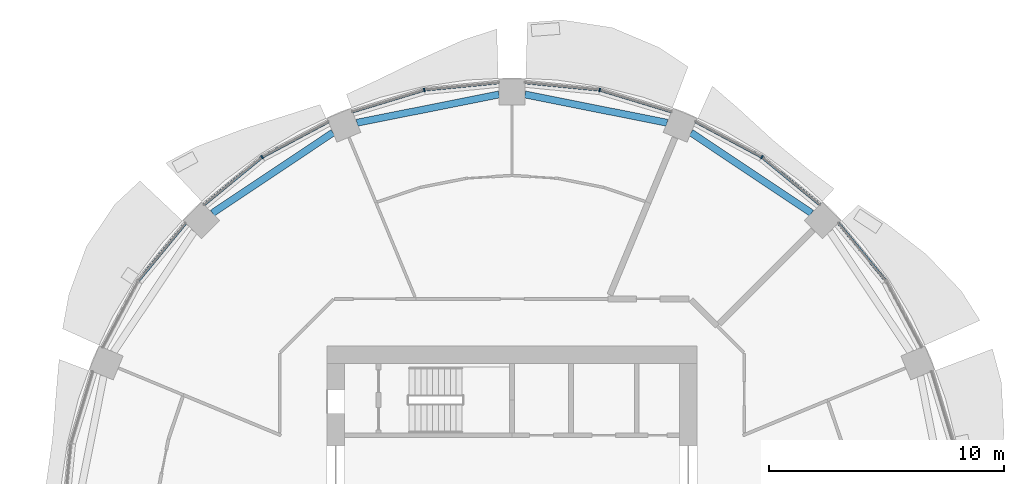
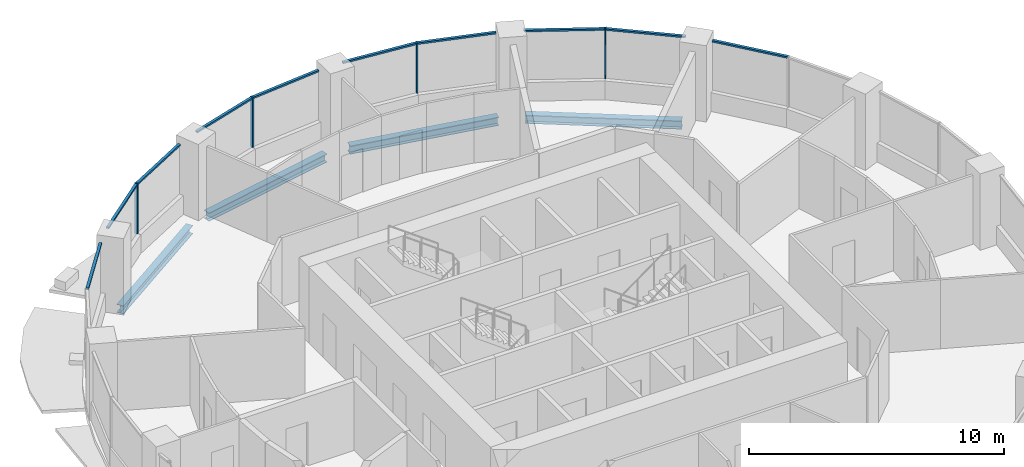
# One storey, part 5 of 14: 14 members, 4 beams, 6 elements without a shape of their own.
"""IFC4 building model written with IfcOpenShell, lengths in metres."""

from ifc_helpers import new_model, si_unit, direction, frame, origin, origin_2d, place, context, subcontext, project, spatial, rectangle, i_section, extrude, material, material_profile, profile_set, type_object, element, aggregate, save


model = new_model("IFC4")

# Units and contexts
model_context = context("Model", 3, precision=1e-05, world=origin(), true_north=direction((0.0, 1.0)))
body_context = subcontext(model_context, "Body", "Model", "MODEL_VIEW")
ifc_project = project(units=[si_unit("LENGTHUNIT", "METRE"), si_unit("AREAUNIT", "SQUARE_METRE"), si_unit("VOLUMEUNIT", "CUBIC_METRE"), si_unit("PLANEANGLEUNIT", "RADIAN"), si_unit("MASSUNIT", "GRAM", prefix="KILO")], contexts=[model_context])

# Site, building, storey
site_placement = place(None, origin())
site = spatial("IfcSite", under=ifc_project, at=site_placement, CompositionType="ELEMENT")
building_placement = place(site_placement, origin())
building = spatial("IfcBuilding", under=site, at=building_placement, Name="Polderwave Tower", CompositionType="ELEMENT")
storey_placement = place(building_placement, frame((0.0, 0.0, 94.64990234375)))
storey = spatial("IfcBuildingStorey", under=building, at=storey_placement, Name="L24", CompositionType="ELEMENT", Elevation=94.64990234375)

# Curtain wall, member
ifc_material_1 = material(Name="Aluminium 6063-T6 and glass", Category="aluminium")
curtain_wall_type = type_object("IfcCurtainWallType", Name="Growing floor ribbon glazing wall", PredefinedType="NOTDEFINED", material=ifc_material_1)
curtain_wall_1_placement = place(storey_placement, origin())
curtain_wall_1 = element("IfcCurtainWall", 1, at=curtain_wall_1_placement, inside=storey, type_object=curtain_wall_type, Name="CW2 L24 02", PredefinedType="NOTDEFINED")
ifc_material_2 = material(Name="Aluminium 6063-T6", Category="aluminium")
ifc_material_profile_1 = material_profile(ifc_material_2, rectangle(XDim=0.14990234375, YDim=0.06005859375, at=origin_2d()), Name="AL 60x150")
ifc_profile_set_1 = profile_set([ifc_material_profile_1], Name="Aluminium 6063-T6")
member_type_1 = type_object("IfcMemberType", Name="Growing floor ribbon glazing mullion 60x150", PredefinedType="MULLION", material=ifc_profile_set_1)
member_1_placement = place(storey_placement, frame((10.623046875, 15.89794921875, 0.900146484375), z_axis=(0.0, 0.0, 1.0), x_axis=(-0.555573135393, -0.831467672992, 0.0)))
member_1 = element("IfcMember", 2, at=member_1_placement, type_object=member_type_1, Name="CW2 mullion 1", PredefinedType="MULLION", context=body_context, shape_type="SweptSolid", body=[
    extrude(rectangle(XDim=0.14990234375, YDim=0.06005859375, at=origin_2d()), origin(), (0.0, 0.0, 1.0), 2.39990234375),
])

curtain_wall_2_placement = place(storey_placement, origin())
curtain_wall_2 = element("IfcCurtainWall", 3, at=curtain_wall_2_placement, inside=storey, type_object=curtain_wall_type, Name="CW2 L24 03", PredefinedType="NOTDEFINED")
member_2_placement = place(storey_placement, frame((3.72998046875, 18.7529296875, 0.900146484375), z_axis=(0.0, 0.0, 1.0), x_axis=(-0.195112575278, -0.980780853692, 0.0)))
member_2 = element("IfcMember", 4, at=member_2_placement, type_object=member_type_1, Name="CW2 mullion 1", PredefinedType="MULLION", context=body_context, shape_type="SweptSolid", body=[
    extrude(rectangle(XDim=0.14990234375, YDim=0.06005859375, at=origin_2d()), origin(), (0.0, 0.0, 1.0), 2.39990234375),
])

curtain_wall_3_placement = place(storey_placement, origin())
curtain_wall_3 = element("IfcCurtainWall", 5, at=curtain_wall_3_placement, inside=storey, type_object=curtain_wall_type, Name="CW2 L24 04", PredefinedType="NOTDEFINED")
member_3_placement = place(storey_placement, frame((-3.72998046875, 18.7529296875, 0.900146484375), z_axis=(0.0, 0.0, 1.0), x_axis=(0.195112575278, -0.980780853692, 0.0)))
member_3 = element("IfcMember", 6, at=member_3_placement, type_object=member_type_1, Name="CW2 mullion 1", PredefinedType="MULLION", context=body_context, shape_type="SweptSolid", body=[
    extrude(rectangle(XDim=0.14990234375, YDim=0.06005859375, at=origin_2d()), origin(), (0.0, 0.0, 1.0), 2.39990234375),
])

curtain_wall_4_placement = place(storey_placement, origin())
curtain_wall_4 = element("IfcCurtainWall", 7, at=curtain_wall_4_placement, inside=storey, type_object=curtain_wall_type, Name="CW2 L24 05", PredefinedType="NOTDEFINED")
member_4_placement = place(storey_placement, frame((-10.623046875, 15.89794921875, 0.900146484375), z_axis=(0.0, 0.0, 1.0), x_axis=(0.555573135393, -0.831467672992, 0.0)))
member_4 = element("IfcMember", 8, at=member_4_placement, type_object=member_type_1, Name="CW2 mullion 1", PredefinedType="MULLION", context=body_context, shape_type="SweptSolid", body=[
    extrude(rectangle(XDim=0.14990234375, YDim=0.06005859375, at=origin_2d()), origin(), (0.0, 0.0, 1.0), 2.39990234375),
])

curtain_wall_5_placement = place(storey_placement, origin())
curtain_wall_5 = element("IfcCurtainWall", 9, at=curtain_wall_5_placement, inside=storey, type_object=curtain_wall_type, Name="CW2 L24 01", PredefinedType="NOTDEFINED")
ifc_material_profile_2 = material_profile(ifc_material_2, rectangle(XDim=0.1201171875, YDim=0.080078125, at=origin_2d()), Name="AL 80x120")
ifc_profile_set_2 = profile_set([ifc_material_profile_2], Name="Aluminium 6063-T6")
member_type_2 = type_object("IfcMemberType", Name="Growing floor ribbon glazing transom 80x120", PredefinedType="USERDEFINED", material=ifc_profile_set_2)
member_5_placement = place(storey_placement, frame((15.87890625, 10.646240234375, 3.260009765625), z_axis=(-0.634538762198, 0.772891039712, 0.0), x_axis=(-0.772891039712, -0.634538762198, 0.0)))
member_5 = element("IfcMember", 10, at=member_5_placement, type_object=member_type_2, Name="CW2 transom 2", ObjectType="TRANSOM", PredefinedType="USERDEFINED", context=body_context, shape_type="SweptSolid", body=[
    extrude(rectangle(XDim=0.1201171875, YDim=0.080078125, at=origin_2d()), origin(), (0.0, 0.0, 1.0), 3.165771484375),
])
aggregate(curtain_wall_5, [member_5])

# Member
member_6_placement = place(storey_placement, frame((13.093017578125, 13.8701171875, 3.260009765625), z_axis=(-0.772891039712, 0.634538762198, 0.0), x_axis=(-0.634538762198, -0.772891039712, 0.0)))
member_6 = element("IfcMember", 11, at=member_6_placement, type_object=member_type_2, Name="CW2 transom 1", ObjectType="TRANSOM", PredefinedType="USERDEFINED", context=body_context, shape_type="SweptSolid", body=[
    extrude(rectangle(XDim=0.1201171875, YDim=0.080078125, at=origin_2d()), origin(), (0.0, 0.0, 1.0), 3.165771484375),
])

member_7_placement = place(storey_placement, frame((10.596435546875, 15.912109375, 3.260009765625), z_axis=(-0.882009036404, 0.471232490074, 0.0), x_axis=(-0.471232490074, -0.882009036404, 0.0)))
member_7 = element("IfcMember", 12, at=member_7_placement, type_object=member_type_2, Name="CW2 transom 2", ObjectType="TRANSOM", PredefinedType="USERDEFINED", context=body_context, shape_type="SweptSolid", body=[
    extrude(rectangle(XDim=0.1201171875, YDim=0.080078125, at=origin_2d()), origin(), (0.0, 0.0, 1.0), 3.166015625),
])

aggregate(curtain_wall_1, [member_1, member_6, member_7])

member_8_placement = place(storey_placement, frame((6.7880859375, 17.824951171875, 3.260009765625), z_axis=(-0.956895886584, 0.290431166093, 0.0), x_axis=(-0.290431166093, -0.956895886584, 0.0)))
member_8 = element("IfcMember", 13, at=member_8_placement, type_object=member_type_2, Name="CW2 transom 1", ObjectType="TRANSOM", PredefinedType="USERDEFINED", context=body_context, shape_type="SweptSolid", body=[
    extrude(rectangle(XDim=0.1201171875, YDim=0.080078125, at=origin_2d()), origin(), (0.0, 0.0, 1.0), 3.165771484375),
])

member_9_placement = place(storey_placement, frame((3.7001953125, 18.755859375, 3.260009765625), z_axis=(-0.995191003597, 0.097953388713, 0.0), x_axis=(-0.097953388713, -0.995191003597, 0.0)))
member_9 = element("IfcMember", 14, at=member_9_placement, type_object=member_type_2, Name="CW2 transom 2", ObjectType="TRANSOM", PredefinedType="USERDEFINED", context=body_context, shape_type="SweptSolid", body=[
    extrude(rectangle(XDim=0.1201171875, YDim=0.080078125, at=origin_2d()), origin(), (0.0, 0.0, 1.0), 3.165283203125),
])

aggregate(curtain_wall_2, [member_2, member_8, member_9])

member_10_placement = place(storey_placement, frame((-0.550048828125, 19.06591796875, 3.260009765625), z_axis=(-0.995191003597, -0.097953388713, 0.0), x_axis=(0.097953388713, -0.995191003597, 0.0)))
member_10 = element("IfcMember", 15, at=member_10_placement, type_object=member_type_2, Name="CW2 transom 1", ObjectType="TRANSOM", PredefinedType="USERDEFINED", context=body_context, shape_type="SweptSolid", body=[
    extrude(rectangle(XDim=0.1201171875, YDim=0.080078125, at=origin_2d()), origin(), (0.0, 0.0, 1.0), 3.165283203125),
])

member_11_placement = place(storey_placement, frame((-3.7587890625, 18.744384765625, 3.260009765625), z_axis=(-0.956895886584, -0.290431166093, 0.0), x_axis=(0.290431166093, -0.956895886584, 0.0)))
member_11 = element("IfcMember", 16, at=member_11_placement, type_object=member_type_2, Name="CW2 transom 2", ObjectType="TRANSOM", PredefinedType="USERDEFINED", context=body_context, shape_type="SweptSolid", body=[
    extrude(rectangle(XDim=0.1201171875, YDim=0.080078125, at=origin_2d()), origin(), (0.0, 0.0, 1.0), 3.165771484375),
])

aggregate(curtain_wall_3, [member_3, member_10, member_11])

member_12_placement = place(storey_placement, frame((-7.803955078125, 17.404052734375, 3.260009765625), z_axis=(-0.882009036404, -0.471232490074, 0.0), x_axis=(0.471232490074, -0.882009036404, 0.0)))
member_12 = element("IfcMember", 17, at=member_12_placement, type_object=member_type_2, Name="CW2 transom 1", ObjectType="TRANSOM", PredefinedType="USERDEFINED", context=body_context, shape_type="SweptSolid", body=[
    extrude(rectangle(XDim=0.1201171875, YDim=0.080078125, at=origin_2d()), origin(), (0.0, 0.0, 1.0), 3.166015625),
])

member_13_placement = place(storey_placement, frame((-10.646240234375, 15.87890625, 3.260009765625), z_axis=(-0.772891039712, -0.634538762198, 0.0), x_axis=(0.634538762198, -0.772891039712, 0.0)))
member_13 = element("IfcMember", 18, at=member_13_placement, type_object=member_type_2, Name="CW2 transom 2", ObjectType="TRANSOM", PredefinedType="USERDEFINED", context=body_context, shape_type="SweptSolid", body=[
    extrude(rectangle(XDim=0.1201171875, YDim=0.080078125, at=origin_2d()), origin(), (0.0, 0.0, 1.0), 3.165771484375),
])

aggregate(curtain_wall_4, [member_4, member_12, member_13])

# Curtain wall, member
curtain_wall_6_placement = place(storey_placement, origin())
curtain_wall_6 = element("IfcCurtainWall", 19, at=curtain_wall_6_placement, inside=storey, type_object=curtain_wall_type, Name="CW2 L24 06", PredefinedType="NOTDEFINED")
member_14_placement = place(storey_placement, frame((-13.8701171875, 13.093017578125, 3.260009765625), z_axis=(-0.634538762198, -0.772891039712, 0.0), x_axis=(0.772891039712, -0.634538762198, 0.0)))
member_14 = element("IfcMember", 20, at=member_14_placement, type_object=member_type_2, Name="CW2 transom 1", ObjectType="TRANSOM", PredefinedType="USERDEFINED", context=body_context, shape_type="SweptSolid", body=[
    extrude(rectangle(XDim=0.1201171875, YDim=0.080078125, at=origin_2d()), origin(), (0.0, 0.0, 1.0), 3.165771484375),
])
aggregate(curtain_wall_6, [member_14])

# Beams
ifc_material_3 = material(Name="Steel S355", Category="steel")
ifc_material_profile_3 = material_profile(ifc_material_3, i_section(OverallWidth=0.300048828125, OverallDepth=0.39990234375, WebThickness=0.013427734375, FlangeThickness=0.02392578125, at=origin_2d()), Name="HE 400 B")
ifc_profile_set_3 = profile_set([ifc_material_profile_3], Name="Steel S355")
beam_type = type_object("IfcBeamType", Name="RING BEAM HE 400 B", PredefinedType="BEAM", material=ifc_profile_set_3)
for number, where, z_axis, x_axis, name in (
    (21, (12.7353515625, 13.51318359375, -0.5498046875), (-0.831458658758, 0.555586625808, 0.0), (-0.555586625808, -0.831458658758, 0.0), "ST-RB-L24-02"),
    (22, (6.5947265625, 17.358154296875, -0.5498046875), (-0.980784304918, 0.195095226048, 0.0), (-0.195095226048, -0.980784304918, 0.0), "ST-RB-L24-03"),
    (23, (-0.550048828125, 18.560546875, -0.5498046875), (-0.980784304918, -0.195095226048, 0.0), (0.195095226048, -0.980784304918, 0.0), "ST-RB-L24-04"),
    (24, (-7.611083984375, 16.937255859375, -0.5498046875), (-0.831458658758, -0.555586625808, 0.0), (0.555586625808, -0.831458658758, 0.0), "ST-RB-L24-05"),
):
    element("IfcBeam", number, at=place(storey_placement, frame(where, z_axis=z_axis, x_axis=x_axis)), inside=storey, type_object=beam_type, Name=name, PredefinedType="BEAM", context=body_context, shape_type="SweptSolid", body=[
        extrude(i_section(OverallWidth=0.300048828125, OverallDepth=0.39990234375, WebThickness=0.013427734375, FlangeThickness=0.02392578125, at=origin_2d()), origin(), (0.0, 0.0, 1.0), 6.1630859375),
    ])

save(model, "model.ifc")
